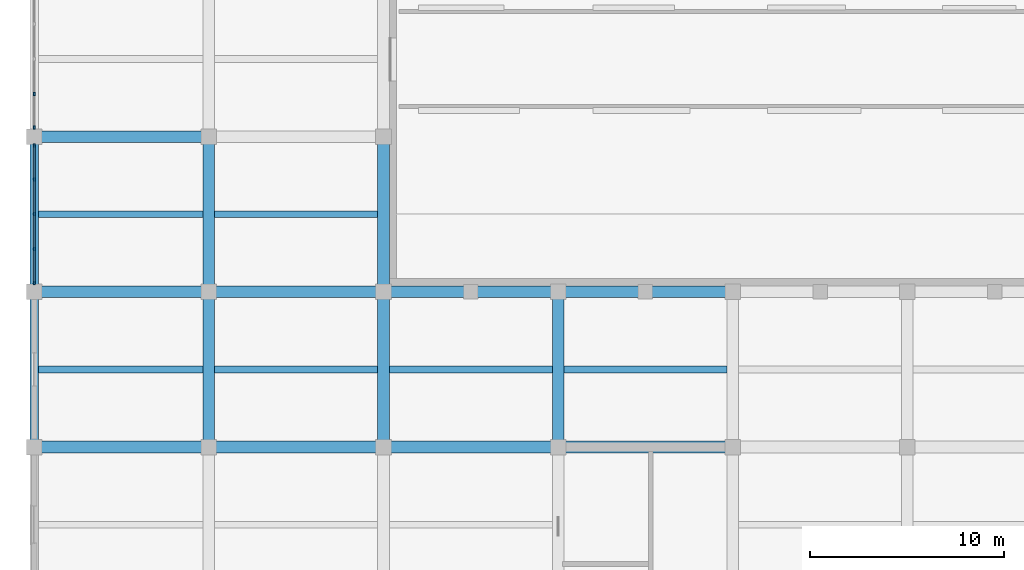
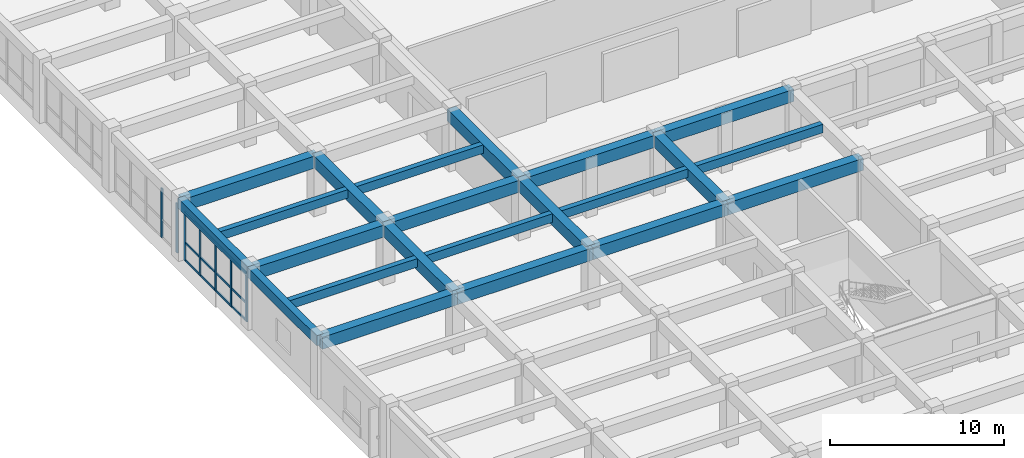
# One storey, part 6 of 50: 22 beams, 10 members, 2 elements without a shape of their own.
"""IFC4 building model written with IfcOpenShell, lengths in metres."""

from ifc_helpers import new_model, si_unit, direction, frame, origin, origin_2d, place, context, subcontext, project, spatial, rectangle, extrude, material, material_profile, profile_set, type_object, element, aggregate, save


model = new_model("IFC4")

# Units and contexts
model_context = context("Model", 3, precision=1e-05, world=origin(), true_north=direction((0.0, 1.0)))
body_context = subcontext(model_context, "Body", "Model", "MODEL_VIEW")
ifc_project = project(units=[si_unit("LENGTHUNIT", "METRE"), si_unit("AREAUNIT", "SQUARE_METRE"), si_unit("VOLUMEUNIT", "CUBIC_METRE"), si_unit("PLANEANGLEUNIT", "RADIAN"), si_unit("MASSUNIT", "GRAM", prefix="KILO")], contexts=[model_context])

# Site, building, storey
site_placement = place(None, origin())
site = spatial("IfcSite", under=ifc_project, at=site_placement, CompositionType="ELEMENT")
building_placement = place(site_placement, origin())
building = spatial("IfcBuilding", under=site, at=building_placement, Name="Zaverband Oceanarium and Marine Research Institute", CompositionType="ELEMENT")
storey_placement = place(building_placement, frame((0.0, 0.0, 4.5)))
storey = spatial("IfcBuildingStorey", under=building, at=storey_placement, Name="L01", CompositionType="ELEMENT", Elevation=4.5)

# Beams
ifc_material_1 = material(Name="Concrete C40/50", Category="concrete")
ifc_material_profile_1 = material_profile(ifc_material_1, rectangle(XDim=0.60009765625, YDim=0.85009765625, at=origin_2d()), Name="RC600x850")
ifc_profile_set_1 = profile_set([ifc_material_profile_1], Name="Concrete C40/50")
beam_type_1 = type_object("IfcBeamType", Name="BM-600x850", PredefinedType="BEAM", material=ifc_profile_set_1)
for number, where, z_axis, x_axis, name in (
    (1, (0.0, 32.0, 3.7548828125), (1.0, 0.0, 0.0), (0.0, 1.0, 0.0), "Primary floor girder BM-600x850"),
    (2, (9.0, 32.0, 3.7548828125), (1.0, 0.0, 0.0), (0.0, 1.0, 0.0), "Primary floor girder BM-600x850"),
    (3, (18.0, 32.0, 3.7548828125), (1.0, 0.0, 0.0), (0.0, 1.0, 0.0), "Primary floor girder BM-600x850"),
    (4, (27.0, 32.0, 3.7548828125), (1.0, 0.0, 0.0), (0.0, 1.0, 0.0), "Primary floor girder BM-600x850"),
    (5, (0.0, 40.0, 3.7548828125), (1.0, 0.0, 0.0), (0.0, 1.0, 0.0), "Primary floor girder BM-600x850"),
    (6, (9.0, 40.0, 3.7548828125), (1.0, 0.0, 0.0), (0.0, 1.0, 0.0), "Primary floor girder BM-600x850"),
    (7, (18.0, 40.0, 3.7548828125), (1.0, 0.0, 0.0), (0.0, 1.0, 0.0), "Primary floor girder BM-600x850"),
    (8, (27.0, 40.0, 3.7548828125), (1.0, 0.0, 0.0), (0.0, 1.0, 0.0), "Primary floor girder BM-600x850"),
    (9, (0.0, 48.0, 3.7548828125), (1.0, 0.0, 0.0), (0.0, 1.0, 0.0), "Primary floor girder BM-600x850"),
):
    element("IfcBeam", number, at=place(storey_placement, frame(where, z_axis=z_axis, x_axis=x_axis)), inside=storey, type_object=beam_type_1, Name=name, PredefinedType="BEAM", context=body_context, shape_type="SweptSolid", body=[
        extrude(rectangle(XDim=0.60009765625, YDim=0.85009765625, at=origin_2d()), origin(), (0.0, 0.0, 1.0), 9.0),
    ])
for number, where, z_axis, x_axis, name in (
    (10, (9.0, 32.0, 3.7548828125), (0.0, 1.0, 0.0), (-1.0, 0.0, 0.0), "Primary floor girder BM-600x850"),
    (11, (9.0, 40.0, 3.7548828125), (0.0, 1.0, 0.0), (-1.0, 0.0, 0.0), "Primary floor girder BM-600x850"),
    (12, (18.0, 32.0, 3.7548828125), (0.0, 1.0, 0.0), (-1.0, 0.0, 0.0), "Primary floor girder BM-600x850"),
    (13, (18.0, 40.0, 3.7548828125), (0.0, 1.0, 0.0), (-1.0, 0.0, 0.0), "Primary floor girder BM-600x850"),
    (14, (27.0, 32.0, 3.7548828125), (0.0, 1.0, 0.0), (-1.0, 0.0, 0.0), "Primary floor girder BM-600x850"),
):
    element("IfcBeam", number, at=place(storey_placement, frame(where, z_axis=z_axis, x_axis=x_axis)), inside=storey, type_object=beam_type_1, Name=name, PredefinedType="BEAM", context=body_context, shape_type="SweptSolid", body=[
        extrude(rectangle(XDim=0.60009765625, YDim=0.85009765625, at=origin_2d()), origin(), (0.0, 0.0, 1.0), 8.0),
    ])
ifc_material_profile_2 = material_profile(ifc_material_1, rectangle(XDim=0.35009765625, YDim=0.60009765625, at=origin_2d()), Name="RC350x600")
ifc_profile_set_2 = profile_set([ifc_material_profile_2], Name="Concrete C40/50")
beam_type_2 = type_object("IfcBeamType", Name="JST-350x600", PredefinedType="JOIST", material=ifc_profile_set_2)
for number, where, z_axis, x_axis, name in (
    (15, (0.22509765625, 36.0, 3.8798828125), (1.0, 0.0, 0.0), (0.0, 1.0, 0.0), "Secondary floor joist JST-350x600"),
    (16, (0.22509765625, 44.0, 3.8798828125), (1.0, 0.0, 0.0), (0.0, 1.0, 0.0), "Secondary floor joist JST-350x600"),
):
    element("IfcBeam", number, at=place(storey_placement, frame(where, z_axis=z_axis, x_axis=x_axis)), inside=storey, type_object=beam_type_2, Name=name, PredefinedType="JOIST", context=body_context, shape_type="SweptSolid", body=[
        extrude(rectangle(XDim=0.35009765625, YDim=0.60009765625, at=origin_2d()), origin(), (0.0, 0.0, 1.0), 8.474853515625),
    ])
for number, where, z_axis, x_axis, name in (
    (17, (9.300048828125, 36.0, 3.8798828125), (1.0, 0.0, 0.0), (0.0, 1.0, 0.0), "Secondary floor joist JST-350x600"),
    (18, (9.300048828125, 44.0, 3.8798828125), (1.0, 0.0, 0.0), (0.0, 1.0, 0.0), "Secondary floor joist JST-350x600"),
    (19, (18.300048828125, 36.0, 3.8798828125), (1.0, 0.0, 0.0), (0.0, 1.0, 0.0), "Secondary floor joist JST-350x600"),
    (20, (27.300048828125, 36.0, 3.8798828125), (1.0, 0.0, 0.0), (0.0, 1.0, 0.0), "Secondary floor joist JST-350x600"),
):
    element("IfcBeam", number, at=place(storey_placement, frame(where, z_axis=z_axis, x_axis=x_axis)), inside=storey, type_object=beam_type_2, Name=name, PredefinedType="JOIST", context=body_context, shape_type="SweptSolid", body=[
        extrude(rectangle(XDim=0.35009765625, YDim=0.60009765625, at=origin_2d()), origin(), (0.0, 0.0, 1.0), 8.39990234375),
    ])

# Curtain wall, members
ifc_material_2 = material(Name="Thermally broken anodized aluminium and solar-control glass", Category="aluminium")
curtain_wall_type = type_object("IfcCurtainWallType", Name="CW-UNIT-1800", PredefinedType="NOTDEFINED", material=ifc_material_2)
curtain_wall_1_placement = place(storey_placement, origin())
curtain_wall_1 = element("IfcCurtainWall", 21, at=curtain_wall_1_placement, inside=storey, type_object=curtain_wall_type, Name="Unitised glazed curtain wall CW-029", PredefinedType="NOTDEFINED")
ifc_material_3 = material(Name="Thermally broken anodized aluminium", Category="aluminium")
ifc_material_profile_3 = material_profile(ifc_material_3, rectangle(XDim=0.080078125, YDim=0.179931640625, at=origin_2d()), Name="AL-MUL-80x180")
ifc_profile_set_3 = profile_set([ifc_material_profile_3], Name="Thermally broken anodized aluminium")
member_type_1 = type_object("IfcMemberType", Name="MUL-80x180", PredefinedType="MULLION", material=ifc_profile_set_3)
member_1_placement = place(storey_placement, frame((0.0, 40.465087890625, 0.0), z_axis=(0.0, 0.0, 1.0), x_axis=(1.0, 0.0, 0.0)))
member_1 = element("IfcMember", 22, at=member_1_placement, type_object=member_type_1, Name="Curtain wall vertical mullion MUL-80x180", PredefinedType="MULLION", context=body_context, shape_type="SweptSolid", body=[
    extrude(rectangle(XDim=0.080078125, YDim=0.179931640625, at=origin_2d()), origin(), (0.0, 0.0, 1.0), 3.4599609375),
])
member_2_placement = place(storey_placement, frame((0.0, 42.202392578125, 0.0), z_axis=(0.0, 0.0, 1.0), x_axis=(1.0, 0.0, 0.0)))
member_2 = element("IfcMember", 23, at=member_2_placement, type_object=member_type_1, Name="Curtain wall vertical mullion MUL-80x180", PredefinedType="MULLION", context=body_context, shape_type="SweptSolid", body=[
    extrude(rectangle(XDim=0.080078125, YDim=0.179931640625, at=origin_2d()), origin(), (0.0, 0.0, 1.0), 3.4599609375),
])
member_3_placement = place(storey_placement, frame((0.0, 44.0, 0.0), z_axis=(0.0, 0.0, 1.0), x_axis=(1.0, 0.0, 0.0)))
member_3 = element("IfcMember", 24, at=member_3_placement, type_object=member_type_1, Name="Curtain wall vertical mullion MUL-80x180", PredefinedType="MULLION", context=body_context, shape_type="SweptSolid", body=[
    extrude(rectangle(XDim=0.080078125, YDim=0.179931640625, at=origin_2d()), origin(), (0.0, 0.0, 1.0), 3.4599609375),
])
member_4_placement = place(storey_placement, frame((0.0, 45.797607421875, 0.0), z_axis=(0.0, 0.0, 1.0), x_axis=(1.0, 0.0, 0.0)))
member_4 = element("IfcMember", 25, at=member_4_placement, type_object=member_type_1, Name="Curtain wall vertical mullion MUL-80x180", PredefinedType="MULLION", context=body_context, shape_type="SweptSolid", body=[
    extrude(rectangle(XDim=0.080078125, YDim=0.179931640625, at=origin_2d()), origin(), (0.0, 0.0, 1.0), 3.4599609375),
])
member_5_placement = place(storey_placement, frame((0.0, 47.534912109375, 0.0), z_axis=(0.0, 0.0, 1.0), x_axis=(1.0, 0.0, 0.0)))
member_5 = element("IfcMember", 26, at=member_5_placement, type_object=member_type_1, Name="Curtain wall vertical mullion MUL-80x180", PredefinedType="MULLION", context=body_context, shape_type="SweptSolid", body=[
    extrude(rectangle(XDim=0.080078125, YDim=0.179931640625, at=origin_2d()), origin(), (0.0, 0.0, 1.0), 3.4599609375),
])

curtain_wall_2_placement = place(storey_placement, origin())
curtain_wall_2 = element("IfcCurtainWall", 27, at=curtain_wall_2_placement, inside=storey, type_object=curtain_wall_type, Name="Unitised glazed curtain wall CW-030", PredefinedType="NOTDEFINED")
member_6_placement = place(storey_placement, frame((0.0, 48.465087890625, 0.0), z_axis=(0.0, 0.0, 1.0), x_axis=(1.0, 0.0, 0.0)))
member_6 = element("IfcMember", 28, at=member_6_placement, type_object=member_type_1, Name="Curtain wall vertical mullion MUL-80x180", PredefinedType="MULLION", context=body_context, shape_type="SweptSolid", body=[
    extrude(rectangle(XDim=0.080078125, YDim=0.179931640625, at=origin_2d()), origin(), (0.0, 0.0, 1.0), 3.4599609375),
])
member_7_placement = place(storey_placement, frame((0.0, 50.202392578125, 0.0), z_axis=(0.0, 0.0, 1.0), x_axis=(1.0, 0.0, 0.0)))
member_7 = element("IfcMember", 29, at=member_7_placement, type_object=member_type_1, Name="Curtain wall vertical mullion MUL-80x180", PredefinedType="MULLION", context=body_context, shape_type="SweptSolid", body=[
    extrude(rectangle(XDim=0.080078125, YDim=0.179931640625, at=origin_2d()), origin(), (0.0, 0.0, 1.0), 3.4599609375),
])
aggregate(curtain_wall_2, [member_6, member_7])

# Beams
ifc_material_profile_4 = material_profile(ifc_material_1, rectangle(XDim=0.449951171875, YDim=0.699951171875, at=origin_2d()), Name="RC450x700")
ifc_profile_set_4 = profile_set([ifc_material_profile_4], Name="Concrete C40/50")
beam_type_3 = type_object("IfcBeamType", Name="SPN-450x700", PredefinedType="SPANDREL", material=ifc_profile_set_4)
for number, where, z_axis, x_axis, name in (
    (30, (0.0, 32.0, 3.830078125), (0.0, 1.0, 0.0), (-1.0, 0.0, 0.0), "Perimeter spandrel beam SPN-450x700"),
    (31, (0.0, 40.0, 3.830078125), (0.0, 1.0, 0.0), (-1.0, 0.0, 0.0), "Perimeter spandrel beam SPN-450x700"),
):
    element("IfcBeam", number, at=place(storey_placement, frame(where, z_axis=z_axis, x_axis=x_axis)), inside=storey, type_object=beam_type_3, Name=name, PredefinedType="SPANDREL", context=body_context, shape_type="SweptSolid", body=[
        extrude(rectangle(XDim=0.449951171875, YDim=0.699951171875, at=origin_2d()), origin(), (0.0, 0.0, 1.0), 8.0),
    ])

# Member
ifc_material_profile_5 = material_profile(ifc_material_3, rectangle(XDim=0.080078125, YDim=0.139892578125, at=origin_2d()), Name="AL-TRN-80x140")
ifc_profile_set_5 = profile_set([ifc_material_profile_5], Name="Thermally broken anodized aluminium")
member_type_2 = type_object("IfcMemberType", Name="TRN-80x140", PredefinedType="USERDEFINED", material=ifc_profile_set_5)
member_8_placement = place(storey_placement, frame((0.0, 40.465087890625, 0.050048828125), z_axis=(0.0, 1.0, 0.0), x_axis=(-1.0, 0.0, 0.0)))
member_8 = element("IfcMember", 32, at=member_8_placement, type_object=member_type_2, Name="Curtain wall horizontal transom TRN-80x140", ObjectType="TRANSOM", PredefinedType="USERDEFINED", context=body_context, shape_type="SweptSolid", body=[
    extrude(rectangle(XDim=0.080078125, YDim=0.139892578125, at=origin_2d()), origin(), (0.0, 0.0, 1.0), 7.06982421875),
])

member_9_placement = place(storey_placement, frame((0.0, 40.465087890625, 1.291015625), z_axis=(0.0, 1.0, 0.0), x_axis=(-1.0, 0.0, 0.0)))
member_9 = element("IfcMember", 33, at=member_9_placement, type_object=member_type_2, Name="Curtain wall horizontal transom TRN-80x140", ObjectType="TRANSOM", PredefinedType="USERDEFINED", context=body_context, shape_type="SweptSolid", body=[
    extrude(rectangle(XDim=0.080078125, YDim=0.139892578125, at=origin_2d()), origin(), (0.0, 0.0, 1.0), 7.06982421875),
])

member_10_placement = place(storey_placement, frame((0.0, 40.465087890625, 3.409912109375), z_axis=(0.0, 1.0, 0.0), x_axis=(-1.0, 0.0, 0.0)))
member_10 = element("IfcMember", 34, at=member_10_placement, type_object=member_type_2, Name="Curtain wall horizontal transom TRN-80x140", ObjectType="TRANSOM", PredefinedType="USERDEFINED", context=body_context, shape_type="SweptSolid", body=[
    extrude(rectangle(XDim=0.080078125, YDim=0.139892578125, at=origin_2d()), origin(), (0.0, 0.0, 1.0), 7.06982421875),
])

aggregate(curtain_wall_1, [member_1, member_2, member_3, member_4, member_5, member_8, member_9, member_10])

save(model, "model.ifc")
